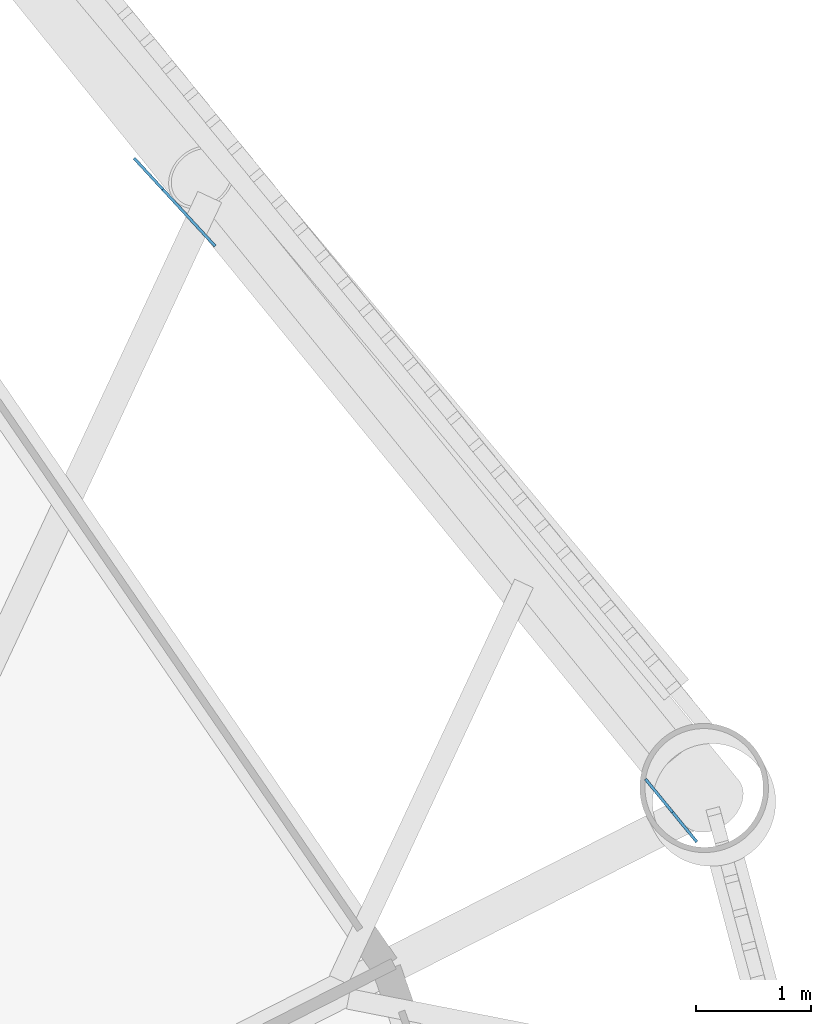
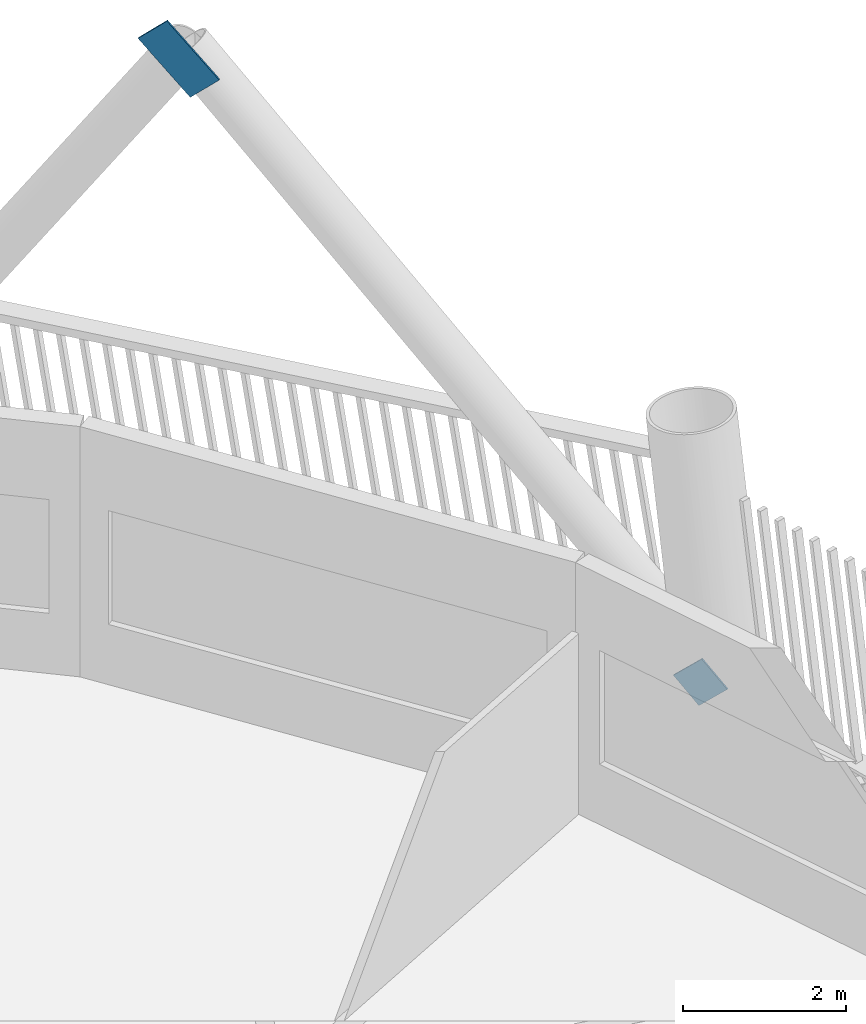
# One storey, part 12 of 24: 2 discrete accessories.
"""IFC4 building model written with IfcOpenShell, lengths in metres."""

from ifc_helpers import new_model, si_unit, direction, frame, origin, origin_2d, place, context, subcontext, project, spatial, rectangle, extrude, material, material_profile, profile_set, type_object, element, save


model = new_model("IFC4")

# Units and contexts
model_context = context("Model", 3, precision=1e-05, world=origin(), true_north=direction((0.0, 1.0)))
body_context = subcontext(model_context, "Body", "Model", "MODEL_VIEW")
ifc_project = project(units=[si_unit("LENGTHUNIT", "METRE"), si_unit("AREAUNIT", "SQUARE_METRE"), si_unit("VOLUMEUNIT", "CUBIC_METRE"), si_unit("PLANEANGLEUNIT", "RADIAN"), si_unit("MASSUNIT", "GRAM", prefix="KILO")], contexts=[model_context])

# Site, building, storey
site_placement = place(None, origin())
site = spatial("IfcSite", under=ifc_project, at=site_placement, CompositionType="ELEMENT")
building_placement = place(site_placement, origin())
building = spatial("IfcBuilding", under=site, at=building_placement, Name="Tarsis Ring Headquarters", CompositionType="ELEMENT")
storey_placement = place(building_placement, frame((0.0, 0.0, 178.800048828125)))
storey = spatial("IfcBuildingStorey", under=building, at=storey_placement, Name="L41", CompositionType="ELEMENT", Elevation=178.800048828125)

# Discrete accessories
ifc_material = material(Name="Structural steel S355", Category="steel")
ifc_material_profile = material_profile(ifc_material, rectangle(XDim=0.02490234375, YDim=0.5, at=origin_2d()), Name="PL 25x500")
ifc_profile_set = profile_set([ifc_material_profile], Name="Structural steel S355")
discrete_accessory_type = type_object("IfcDiscreteAccessoryType", Name="Gusset plate Exo brace 25", PredefinedType="BRACKET", material=ifc_profile_set)
discrete_accessory_1_placement = place(storey_placement, frame((25.650390625, 12.9599609375, 0.0), z_axis=(-0.422959627901, 0.518198805085, 0.743353988067), x_axis=(-0.774704997231, -0.632322834686, 0.0)))
element("IfcDiscreteAccessory", 1, at=discrete_accessory_1_placement, inside=storey, type_object=discrete_accessory_type, Name="Gusset plate GP5", PredefinedType="BRACKET", context=body_context, shape_type="SweptSolid", body=[
    extrude(rectangle(XDim=0.02490234375, YDim=0.5, at=origin_2d()), origin(), (0.0, 0.0, 1.0), 0.499755859375),
])
discrete_accessory_2_placement = place(storey_placement, frame((21.452880859375, 18.134521484375, 7.428955078125), z_axis=(-0.454179182231, 0.493004176841, 0.74207018), x_axis=(-0.735473446885, -0.677553546908, 0.0)))
element("IfcDiscreteAccessory", 2, at=discrete_accessory_2_placement, inside=storey, type_object=discrete_accessory_type, Name="Gusset plate GP5", PredefinedType="BRACKET", context=body_context, shape_type="SweptSolid", body=[
    extrude(rectangle(XDim=0.02490234375, YDim=0.5, at=origin_2d()), origin(), (0.0, 0.0, 1.0), 0.999755859375),
])

save(model, "model.ifc")
